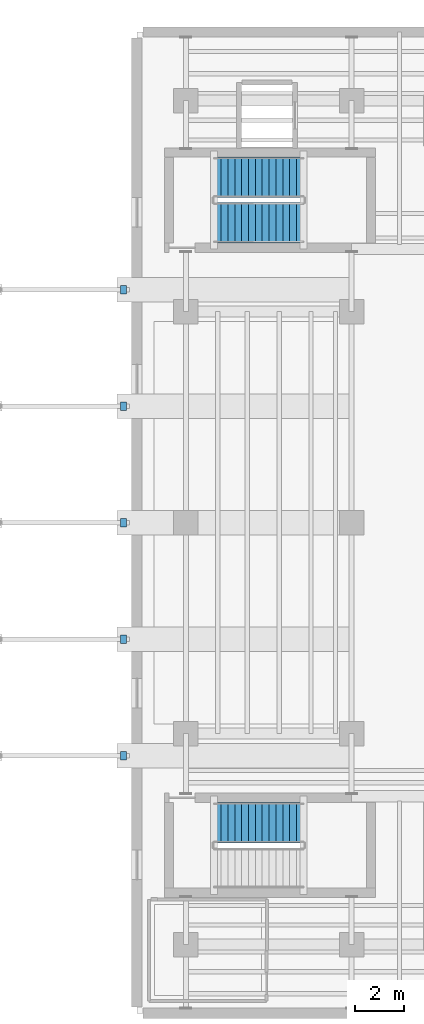
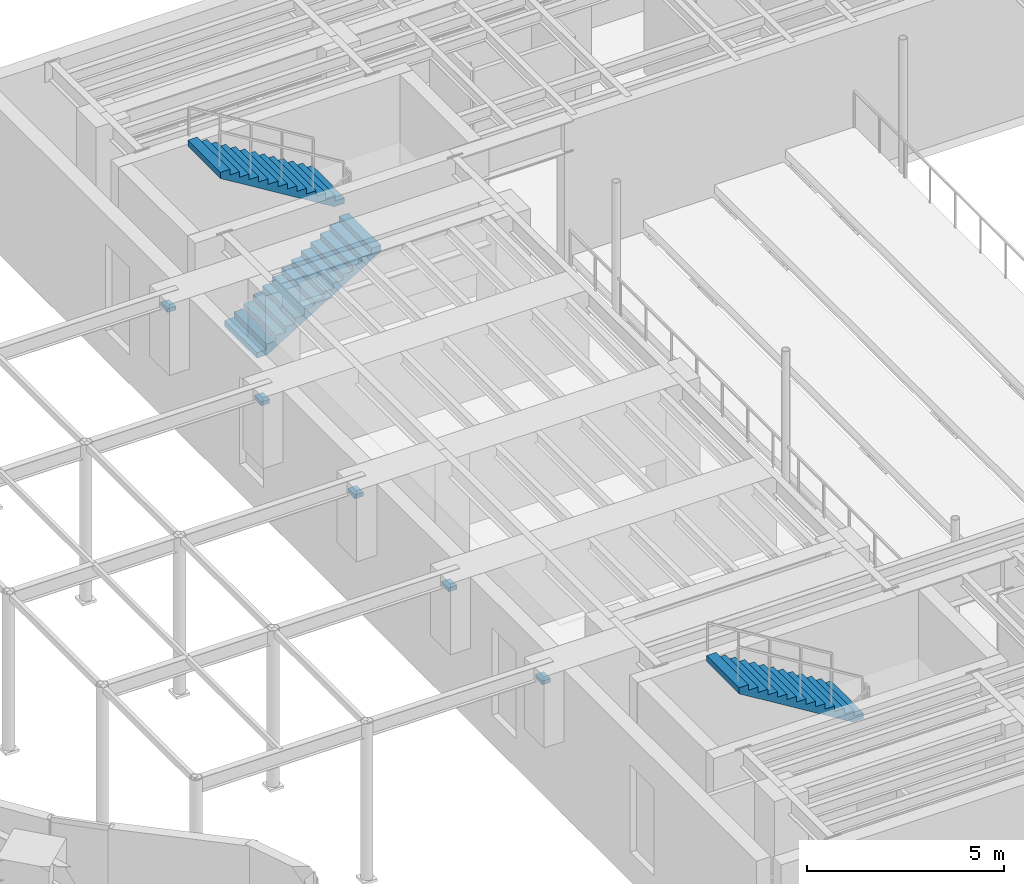
# One storey, part 20 of 24: 5 discrete accessories, 3 stair flights, 2 elements without a shape of their own.
"""IFC4 building model written with IfcOpenShell, lengths in metres."""

from ifc_helpers import new_model, si_unit, direction, frame, origin, origin_2d, place, context, subcontext, project, spatial, polyline, rectangle, outline, extrude, material, type_object, element, aggregate, save


model = new_model("IFC4")

# Units and contexts
model_context = context("Model", 3, precision=1e-05, world=origin(), true_north=direction((0.0, 1.0)))
body_context = subcontext(model_context, "Body", "Model", "MODEL_VIEW")
ifc_project = project(units=[si_unit("LENGTHUNIT", "METRE"), si_unit("AREAUNIT", "SQUARE_METRE"), si_unit("VOLUMEUNIT", "CUBIC_METRE"), si_unit("PLANEANGLEUNIT", "RADIAN"), si_unit("MASSUNIT", "GRAM", prefix="KILO")], contexts=[model_context])

# Site, building, storey
site_placement = place(None, origin())
site = spatial("IfcSite", under=ifc_project, at=site_placement, CompositionType="ELEMENT")
building_placement = place(site_placement, origin())
building = spatial("IfcBuilding", under=site, at=building_placement, Name="Korentha Bioscience Tower", CompositionType="ELEMENT")
storey_placement = place(building_placement, frame((0.0, 0.0, 5.39990234375)))
storey = spatial("IfcBuildingStorey", under=building, at=storey_placement, Name="L01", CompositionType="ELEMENT", Elevation=5.39990234375)

# Stair, stair flight
ifc_material_1 = material(Name="Precast Concrete C50", Category="concrete")
stair_type = type_object("IfcStairType", Name="Theatre Public Dog-Leg Stair 1650", PredefinedType="HALF_TURN_STAIR", material=ifc_material_1)
stair_1_placement = place(storey_placement, origin())
stair_1 = element("IfcStair", 1, at=stair_1_placement, inside=storey, type_object=stair_type, Name="L01 Civic Theatre South Exit Stair ST-T1", PredefinedType="HALF_TURN_STAIR")
stair_flight_type = type_object("IfcStairFlightType", Name="Theatre Public Dog-Leg Stair 1650 Flight", PredefinedType="STRAIGHT", material=ifc_material_1)
stair_flight_1_placement = place(storey_placement, frame((71.2900390625, 14.77490234375, 2.400146484375), z_axis=(0.0, 0.0, 1.0), x_axis=(-1.0, 0.0, 0.0)))
stair_flight_1 = element("IfcStairFlight", 2, at=stair_flight_1_placement, type_object=stair_flight_type, Name="ST-T1 flight 2", NumberOfRisers=14, NumberOfTreads=13, PredefinedType="STRAIGHT", RiserHeight=0.171428571, TreadLength=0.28, context=body_context, shape_type="SweptSolid", body=[
    extrude(outline(polyline([(0.0, 0.0), (0.0, 0.17138671875), (0.280029296875, 0.17138671875), (0.280029296875, 0.3427734375), (0.56005859375, 0.3427734375), (0.56005859375, 0.514404296875), (0.840087890625, 0.514404296875), (0.840087890625, 0.685791015625), (1.1201171875, 0.685791015625), (1.1201171875, 0.857177734375), (1.39990234375, 0.857177734375), (1.39990234375, 1.028564453125), (1.679931640625, 1.028564453125), (1.679931640625, 1.199951171875), (1.9599609375, 1.199951171875), (1.9599609375, 1.371337890625), (2.239990234375, 1.371337890625), (2.239990234375, 1.54296875), (2.52001953125, 1.54296875), (2.52001953125, 1.71435546875), (2.800048828125, 1.71435546875), (2.800048828125, 1.8857421875), (3.080078125, 1.8857421875), (3.080078125, 2.05712890625), (3.360107421875, 2.05712890625), (3.360107421875, 2.228515625), (3.639892578125, 2.228515625), (3.639892578125, 2.39990234375), (3.639892578125, 2.041015625), (0.30615234375, 0.0), (0.0, 0.0)])), frame((0.0, 0.824951171875, 0.0), z_axis=(0.0, -1.0, 0.0), x_axis=(1.0, 0.0, 0.0)), (0.0, 0.0, 1.0), 1.64990234375),
])
aggregate(stair_1, [stair_flight_1])

# Stair, stair flights
stair_2_placement = place(storey_placement, origin())
stair_2 = element("IfcStair", 3, at=stair_2_placement, inside=storey, type_object=stair_type, Name="L01 Civic Theatre North Exit Stair ST-T2", PredefinedType="HALF_TURN_STAIR")
stair_flight_2_placement = place(storey_placement, frame((67.64990234375, 39.22509765625, 0.0), z_axis=(0.0, 0.0, 1.0), x_axis=(1.0, 0.0, 0.0)))
stair_flight_2 = element("IfcStairFlight", 4, at=stair_flight_2_placement, type_object=stair_flight_type, Name="ST-T2 flight 1", NumberOfRisers=14, NumberOfTreads=13, PredefinedType="STRAIGHT", RiserHeight=0.171428571, TreadLength=0.28, context=body_context, shape_type="SweptSolid", body=[
    extrude(outline(polyline([(0.0, 0.0), (0.0, 0.17138671875), (0.280029296875, 0.17138671875), (0.280029296875, 0.3427734375), (0.56005859375, 0.3427734375), (0.56005859375, 0.514404296875), (0.840087890625, 0.514404296875), (0.840087890625, 0.685791015625), (1.1201171875, 0.685791015625), (1.1201171875, 0.857177734375), (1.39990234375, 0.857177734375), (1.39990234375, 1.028564453125), (1.679931640625, 1.028564453125), (1.679931640625, 1.199951171875), (1.9599609375, 1.199951171875), (1.9599609375, 1.371337890625), (2.239990234375, 1.371337890625), (2.239990234375, 1.54296875), (2.52001953125, 1.54296875), (2.52001953125, 1.71435546875), (2.800048828125, 1.71435546875), (2.800048828125, 1.8857421875), (3.080078125, 1.8857421875), (3.080078125, 2.05712890625), (3.360107421875, 2.05712890625), (3.360107421875, 2.228515625), (3.639892578125, 2.228515625), (3.639892578125, 2.39990234375), (3.639892578125, 2.041015625), (0.30615234375, 0.0), (0.0, 0.0)])), frame((0.0, 0.824951171875, 0.0), z_axis=(0.0, -1.0, 0.0), x_axis=(1.0, 0.0, 0.0)), (0.0, 0.0, 1.0), 1.64990234375),
])
stair_flight_3_placement = place(storey_placement, frame((71.2900390625, 41.074951171875, 2.400146484375), z_axis=(0.0, 0.0, 1.0), x_axis=(-1.0, 0.0, 0.0)))
stair_flight_3 = element("IfcStairFlight", 5, at=stair_flight_3_placement, type_object=stair_flight_type, Name="ST-T2 flight 2", NumberOfRisers=14, NumberOfTreads=13, PredefinedType="STRAIGHT", RiserHeight=0.171428571, TreadLength=0.28, context=body_context, shape_type="SweptSolid", body=[
    extrude(outline(polyline([(0.0, 0.0), (0.0, 0.17138671875), (0.280029296875, 0.17138671875), (0.280029296875, 0.3427734375), (0.56005859375, 0.3427734375), (0.56005859375, 0.514404296875), (0.840087890625, 0.514404296875), (0.840087890625, 0.685791015625), (1.1201171875, 0.685791015625), (1.1201171875, 0.857177734375), (1.39990234375, 0.857177734375), (1.39990234375, 1.028564453125), (1.679931640625, 1.028564453125), (1.679931640625, 1.199951171875), (1.9599609375, 1.199951171875), (1.9599609375, 1.371337890625), (2.239990234375, 1.371337890625), (2.239990234375, 1.54296875), (2.52001953125, 1.54296875), (2.52001953125, 1.71435546875), (2.800048828125, 1.71435546875), (2.800048828125, 1.8857421875), (3.080078125, 1.8857421875), (3.080078125, 2.05712890625), (3.360107421875, 2.05712890625), (3.360107421875, 2.228515625), (3.639892578125, 2.228515625), (3.639892578125, 2.39990234375), (3.639892578125, 2.041015625), (0.30615234375, 0.0), (0.0, 0.0)])), frame((0.0, 0.824951171875, 0.0), z_axis=(0.0, -1.0, 0.0), x_axis=(1.0, 0.0, 0.0)), (0.0, 0.0, 1.0), 1.64990234375),
])
aggregate(stair_2, [stair_flight_2, stair_flight_3])

# Discrete accessories
ifc_material_2 = material(Name="Steel S355", Category="steel")
discrete_accessory_type = type_object("IfcDiscreteAccessoryType", Name="PTFE Elastomeric Biaxial Sliding Bearing 450x350x120", PredefinedType="BRACKET", material=ifc_material_2)
for number, where, z_axis, x_axis, name in (
    (6, (63.9599609375, 17.5, 4.0029296875), (0.0, 0.0, 1.0), (1.0, 0.0, 0.0), "Movement-Joint PTFE Sliding Bearing SB-01"),
    (7, (63.9599609375, 22.25, 4.0029296875), (0.0, 0.0, 1.0), (1.0, 0.0, 0.0), "Movement-Joint PTFE Sliding Bearing SB-02"),
    (8, (63.9599609375, 27.0, 4.0029296875), (0.0, 0.0, 1.0), (1.0, 0.0, 0.0), "Movement-Joint PTFE Sliding Bearing SB-03"),
    (9, (63.9599609375, 31.75, 4.0029296875), (0.0, 0.0, 1.0), (1.0, 0.0, 0.0), "Movement-Joint PTFE Sliding Bearing SB-04"),
    (10, (63.9599609375, 36.5, 4.0029296875), (0.0, 0.0, 1.0), (1.0, 0.0, 0.0), "Movement-Joint PTFE Sliding Bearing SB-05"),
):
    element("IfcDiscreteAccessory", number, at=place(storey_placement, frame(where, z_axis=z_axis, x_axis=x_axis)), inside=storey, type_object=discrete_accessory_type, Name=name, PredefinedType="BRACKET", context=body_context, shape_type="SweptSolid", body=[
        extrude(rectangle(XDim=0.25, YDim=0.35009765625, at=origin_2d()), origin(), (0.0, 0.0, 1.0), 0.1201171875),
    ])

save(model, "model.ifc")
